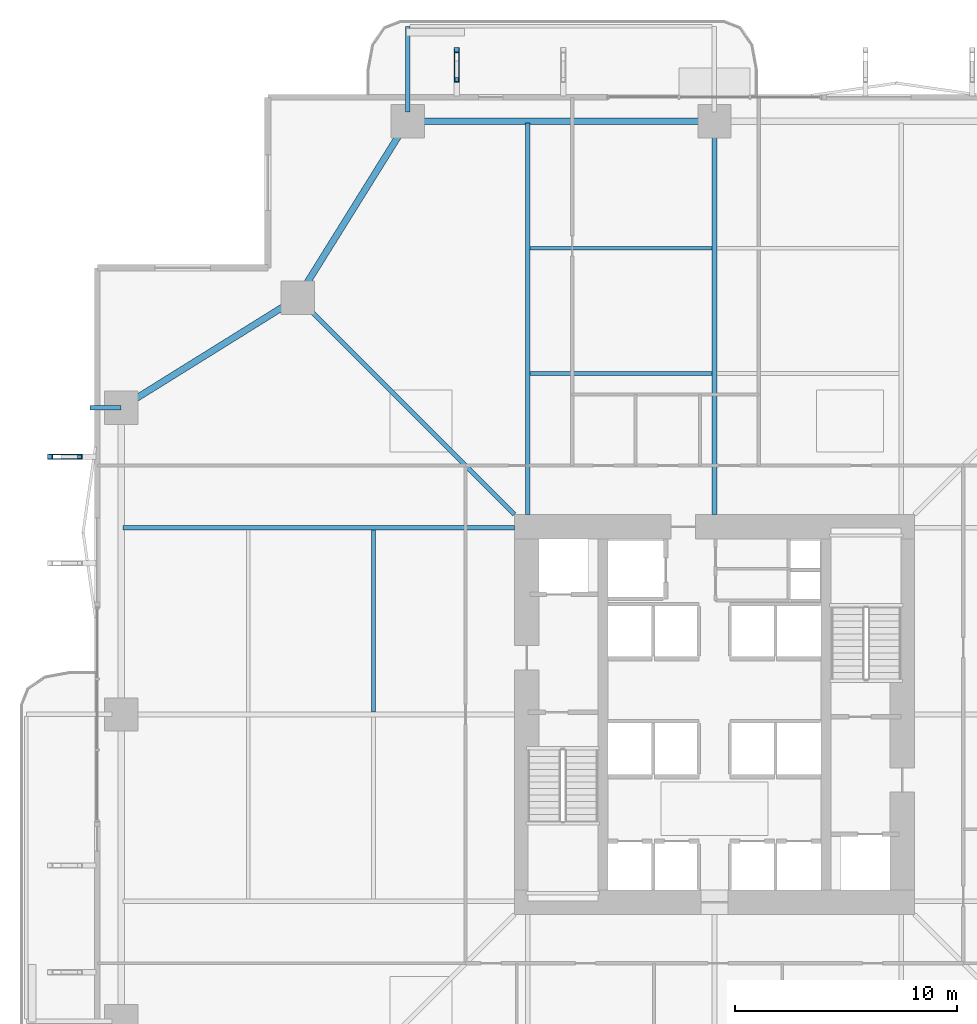
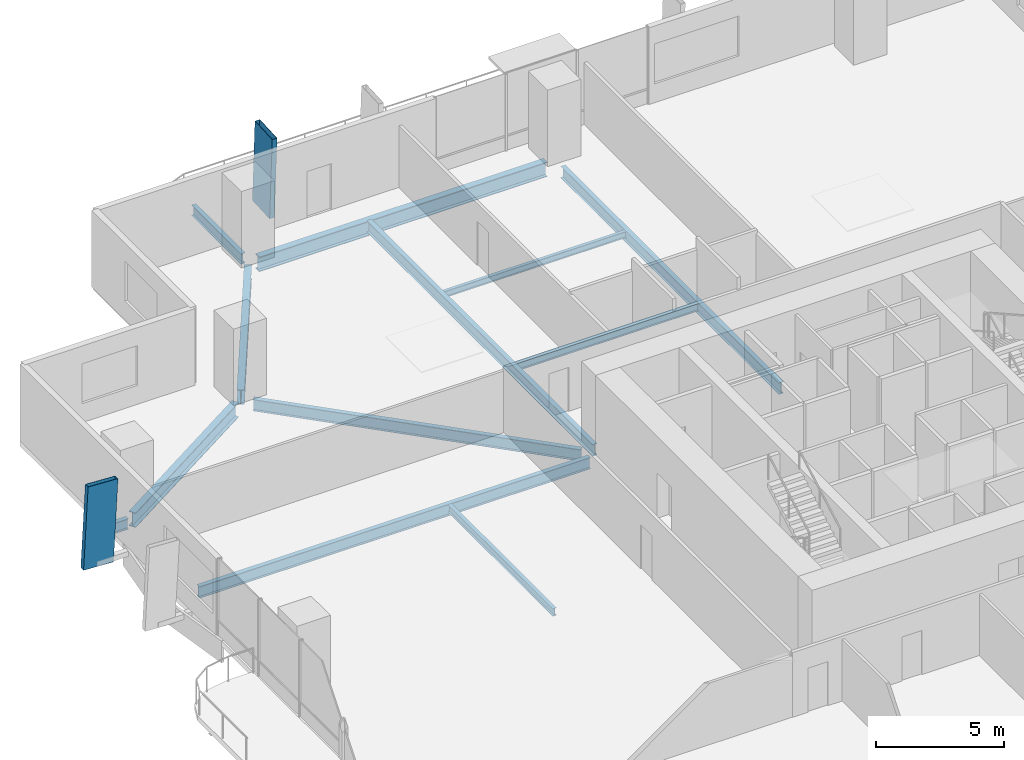
# One storey, part 10 of 24: 12 beams, 2 members.
"""IFC4 building model written with IfcOpenShell, lengths in metres."""

from ifc_helpers import new_model, si_unit, direction, frame, origin, origin_2d, place, context, subcontext, project, spatial, hollow_rectangle, i_section, extrude, material, material_profile, profile_set, type_object, element, save


model = new_model("IFC4")

# Units and contexts
model_context = context("Model", 3, precision=1e-05, world=origin(), true_north=direction((0.0, 1.0)))
body_context = subcontext(model_context, "Body", "Model", "MODEL_VIEW")
ifc_project = project(units=[si_unit("LENGTHUNIT", "METRE"), si_unit("AREAUNIT", "SQUARE_METRE"), si_unit("VOLUMEUNIT", "CUBIC_METRE"), si_unit("PLANEANGLEUNIT", "RADIAN"), si_unit("MASSUNIT", "GRAM", prefix="KILO")], contexts=[model_context])

# Site, building, storey
site_placement = place(None, origin())
site = spatial("IfcSite", under=ifc_project, at=site_placement, CompositionType="ELEMENT")
building_placement = place(site_placement, origin())
building = spatial("IfcBuilding", under=site, at=building_placement, Name="Belovzor Exchange Tower", CompositionType="ELEMENT")
storey_placement = place(building_placement, frame((0.0, 0.0, 69.0)))
storey = spatial("IfcBuildingStorey", under=building, at=storey_placement, Name="L16", CompositionType="ELEMENT", Elevation=69.0)

# Members
ifc_material_1 = material(Name="Extruded Architectural Terracotta on Steel S355 Carrier", Category="masonry")
ifc_material_profile_1 = material_profile(ifc_material_1, hollow_rectangle(XDim=0.219970703125, YDim=1.35009765625, WallThickness=0.013916015625, at=origin_2d()))
ifc_profile_set_1 = profile_set([ifc_material_profile_1], Name="Extruded Architectural Terracotta on Steel S355 Carrier")
member_type = type_object("IfcMemberType", Name="Base Arc Sweeping Terracotta Pylon Fin 1450", PredefinedType="USERDEFINED", material=ifc_profile_set_1)
for number, where, z_axis, x_axis, name in (
    (1, (17.199951171875, 58.132080078125, -0.25), (0.0, -0.052512896371, 0.998620245997), (1.0, 0.0, 0.0), "FIN-TC145 Terracotta Facade Fin L16 N1"),
    (2, (-0.531982421875, 40.39990234375, -0.25), (0.052512896371, 0.0, 0.998620245997), (0.0, 1.0, 0.0), "FIN-TC145 Terracotta Facade Fin L16 W4"),
):
    element("IfcMember", number, at=place(storey_placement, frame(where, z_axis=z_axis, x_axis=x_axis)), inside=storey, type_object=member_type, Name=name, ObjectType="FIN", PredefinedType="USERDEFINED", context=body_context, shape_type="SweptSolid", body=[
        extrude(hollow_rectangle(XDim=0.219970703125, YDim=1.35009765625, WallThickness=0.013916015625, at=origin_2d()), origin(), (0.0, 0.0, 1.0), 3.9052734375),
    ])

# Beams
ifc_material_2 = material(Name="Steel S355", Category="steel")
ifc_material_profile_2 = material_profile(ifc_material_2, i_section(OverallWidth=0.199951171875, OverallDepth=0.5, WebThickness=0.01025390625, FlangeThickness=0.01611328125, at=origin_2d()))
ifc_profile_set_2 = profile_set([ifc_material_profile_2], Name="Steel S355")
beam_type_1 = type_object("IfcBeamType", Name="Planted Balcony Cantilever Beam IPE 500", PredefinedType="BEAM", material=ifc_profile_set_2)
beam_1_placement = place(storey_placement, frame((15.0, 55.9130859375, -0.5), z_axis=(0.0, 1.0, 0.0), x_axis=(-1.0, 0.0, 0.0)))
element("IfcBeam", 3, at=beam_1_placement, inside=storey, type_object=beam_type_1, Name="BC-500 Planted Balcony Cantilever Beam IPE 500", PredefinedType="BEAM", context=body_context, shape_type="SweptSolid", body=[
    extrude(i_section(OverallWidth=0.199951171875, OverallDepth=0.5, WebThickness=0.01025390625, FlangeThickness=0.01611328125, at=origin_2d()), origin(), (0.0, 0.0, 1.0), 3.849853515625),
])
beam_2_placement = place(storey_placement, frame((2.10009765625, 42.60009765625, -0.5), z_axis=(-1.0, 0.0, 0.0), x_axis=(0.0, -1.0, 0.0)))
element("IfcBeam", 4, at=beam_2_placement, inside=storey, type_object=beam_type_1, Name="BC-500 Planted Balcony Cantilever Beam IPE 500", PredefinedType="BEAM", context=body_context, shape_type="SweptSolid", body=[
    extrude(i_section(OverallWidth=0.199951171875, OverallDepth=0.5, WebThickness=0.01025390625, FlangeThickness=0.01611328125, at=origin_2d()), origin(), (0.0, 0.0, 1.0), 1.400146484375),
])
ifc_material_3 = material(Name="Steel S355", Category="steel")
ifc_material_profile_3 = material_profile(ifc_material_3, i_section(OverallWidth=0.169921875, OverallDepth=0.360107421875, WebThickness=0.008056640625, FlangeThickness=0.0126953125, at=origin_2d()))
ifc_profile_set_3 = profile_set([ifc_material_profile_3], Name="Steel S355")
beam_type_2 = type_object("IfcBeamType", Name="Secondary Infill Floor Joist IPE 360", PredefinedType="BEAM", material=ifc_profile_set_3)
beam_3_placement = place(storey_placement, frame((20.5048828125, 44.14501953125, -0.429931640625), z_axis=(1.0, 0.0, 0.0), x_axis=(0.0, 1.0, 0.0)))
element("IfcBeam", 5, at=beam_3_placement, inside=storey, type_object=beam_type_2, Name="FJ-360 Secondary Infill Floor Joist IPE 360", PredefinedType="BEAM", context=body_context, shape_type="SweptSolid", body=[
    extrude(i_section(OverallWidth=0.169921875, OverallDepth=0.360107421875, WebThickness=0.008056640625, FlangeThickness=0.0126953125, at=origin_2d()), origin(), (0.0, 0.0, 1.0), 8.190185546875),
])
beam_4_placement = place(storey_placement, frame((13.455078125, 28.905029296875, -0.429931640625), z_axis=(0.0, 1.0, 0.0), x_axis=(-1.0, 0.0, 0.0)))
element("IfcBeam", 6, at=beam_4_placement, inside=storey, type_object=beam_type_2, Name="FJ-360 Secondary Infill Floor Joist IPE 360", PredefinedType="BEAM", context=body_context, shape_type="SweptSolid", body=[
    extrude(i_section(OverallWidth=0.169921875, OverallDepth=0.360107421875, WebThickness=0.008056640625, FlangeThickness=0.0126953125, at=origin_2d()), origin(), (0.0, 0.0, 1.0), 8.18994140625),
])
ifc_material_4 = material(Name="Steel S355", Category="steel")
ifc_material_profile_4 = material_profile(ifc_material_4, i_section(OverallWidth=0.14990234375, OverallDepth=0.300048828125, WebThickness=0.007080078125, FlangeThickness=0.0107421875, at=origin_2d()))
ifc_profile_set_4 = profile_set([ifc_material_profile_4], Name="Steel S355")
beam_type_3 = type_object("IfcBeamType", Name="Secondary Trim Floor Joist IPE 300", PredefinedType="BEAM", material=ifc_profile_set_4)
beam_5_placement = place(storey_placement, frame((20.5048828125, 49.784912109375, -0.39990234375), z_axis=(1.0, 0.0, 0.0), x_axis=(0.0, 1.0, 0.0)))
element("IfcBeam", 7, at=beam_5_placement, inside=storey, type_object=beam_type_3, Name="FJ-300 Secondary Trim Floor Joist IPE 300", PredefinedType="BEAM", context=body_context, shape_type="SweptSolid", body=[
    extrude(i_section(OverallWidth=0.14990234375, OverallDepth=0.300048828125, WebThickness=0.007080078125, FlangeThickness=0.0107421875, at=origin_2d()), origin(), (0.0, 0.0, 1.0), 8.190185546875),
])
ifc_material_5 = material(Name="Steel S355", Category="steel")
ifc_material_profile_5 = material_profile(ifc_material_5, i_section(OverallWidth=0.300048828125, OverallDepth=0.699951171875, WebThickness=0.01708984375, FlangeThickness=0.031982421875, at=origin_2d()))
ifc_profile_set_5 = profile_set([ifc_material_profile_5], Name="Steel S355")
beam_type_4 = type_object("IfcBeamType", Name="Zone 1 Primary Perimeter Girder HEB 700", PredefinedType="BEAM", material=ifc_profile_set_5)
beam_6_placement = place(storey_placement, frame((28.386962890625, 55.5, -0.60009765625), z_axis=(-1.0, 0.0, 0.0), x_axis=(0.0, -1.0, 0.0)))
element("IfcBeam", 8, at=beam_6_placement, inside=storey, type_object=beam_type_4, Name="FG-Z1 Zone 1 Primary Perimeter Girder HEB 700", PredefinedType="BEAM", context=body_context, shape_type="SweptSolid", body=[
    extrude(i_section(OverallWidth=0.300048828125, OverallDepth=0.699951171875, WebThickness=0.01708984375, FlangeThickness=0.031982421875, at=origin_2d()), origin(), (0.0, 0.0, 1.0), 12.974853515625),
])
for number, where, z_axis, x_axis, name in (
    (9, (14.781982421875, 55.14990234375, -0.60009765625), (-0.528538629686, -0.848909251292, 0.0), (0.848909251292, -0.528538629686, 0.0), "FG-Z1 Zone 1 Primary Perimeter Girder HEB 700"),
    (10, (9.699951171875, 47.33203125, -0.60009765625), (-0.848909251292, -0.528538629686, 0.0), (0.528538629686, -0.848909251292, 0.0), "FG-Z1 Zone 1 Primary Perimeter Girder HEB 700"),
):
    element("IfcBeam", number, at=place(storey_placement, frame(where, z_axis=z_axis, x_axis=x_axis)), inside=storey, type_object=beam_type_4, Name=name, PredefinedType="BEAM", context=body_context, shape_type="SweptSolid", body=[
        extrude(i_section(OverallWidth=0.300048828125, OverallDepth=0.699951171875, WebThickness=0.01708984375, FlangeThickness=0.031982421875, at=origin_2d()), origin(), (0.0, 0.0, 1.0), 8.540283203125),
    ])
ifc_material_6 = material(Name="Steel S355", Category="steel")
ifc_material_profile_6 = material_profile(ifc_material_6, i_section(OverallWidth=0.2099609375, OverallDepth=0.550048828125, WebThickness=0.010986328125, FlangeThickness=0.01708984375, at=origin_2d()))
ifc_profile_set_6 = profile_set([ifc_material_profile_6], Name="Steel S355")
beam_type_5 = type_object("IfcBeamType", Name="Zone 1 Radial Composite Floor Beam IPE 550", PredefinedType="BEAM", material=ifc_profile_set_6)
beam_7_placement = place(storey_placement, frame((20.39990234375, 37.800048828125, -0.52490234375), z_axis=(0.0, 1.0, 0.0), x_axis=(-1.0, 0.0, 0.0)))
element("IfcBeam", 11, at=beam_7_placement, inside=storey, type_object=beam_type_5, Name="FB-550 Zone 1 Radial Composite Floor Beam IPE 550", PredefinedType="BEAM", context=body_context, shape_type="SweptSolid", body=[
    extrude(i_section(OverallWidth=0.2099609375, OverallDepth=0.550048828125, WebThickness=0.010986328125, FlangeThickness=0.01708984375, at=origin_2d()), origin(), (0.0, 0.0, 1.0), 17.625),
])
beam_8_placement = place(storey_placement, frame((28.800048828125, 37.800048828125, -0.52490234375), z_axis=(0.0, 1.0, 0.0), x_axis=(-1.0, 0.0, 0.0)))
element("IfcBeam", 12, at=beam_8_placement, inside=storey, type_object=beam_type_5, Name="FB-550 Zone 1 Radial Composite Floor Beam IPE 550", PredefinedType="BEAM", context=body_context, shape_type="SweptSolid", body=[
    extrude(i_section(OverallWidth=0.2099609375, OverallDepth=0.550048828125, WebThickness=0.010986328125, FlangeThickness=0.01708984375, at=origin_2d()), origin(), (0.0, 0.0, 1.0), 17.0400390625),
])
beam_9_placement = place(storey_placement, frame((19.800048828125, 37.199951171875, -0.52490234375), z_axis=(-1.0, 0.0, 0.0), x_axis=(0.0, -1.0, 0.0)))
element("IfcBeam", 13, at=beam_9_placement, inside=storey, type_object=beam_type_5, Name="FB-550 Zone 1 Radial Composite Floor Beam IPE 550", PredefinedType="BEAM", context=body_context, shape_type="SweptSolid", body=[
    extrude(i_section(OverallWidth=0.2099609375, OverallDepth=0.550048828125, WebThickness=0.010986328125, FlangeThickness=0.01708984375, at=origin_2d()), origin(), (0.0, 0.0, 1.0), 17.625),
])
beam_10_placement = place(storey_placement, frame((19.800048828125, 37.800048828125, -0.52490234375), z_axis=(-0.707106781187, 0.707106781187, 0.0), x_axis=(-0.707106781187, -0.707106781187, 0.0)))
element("IfcBeam", 14, at=beam_10_placement, inside=storey, type_object=beam_type_5, Name="FB-550 Zone 1 Radial Composite Floor Beam IPE 550", PredefinedType="BEAM", context=body_context, shape_type="SweptSolid", body=[
    extrude(i_section(OverallWidth=0.2099609375, OverallDepth=0.550048828125, WebThickness=0.010986328125, FlangeThickness=0.01708984375, at=origin_2d()), origin(), (0.0, 0.0, 1.0), 13.25830078125),
])

save(model, "model.ifc")
